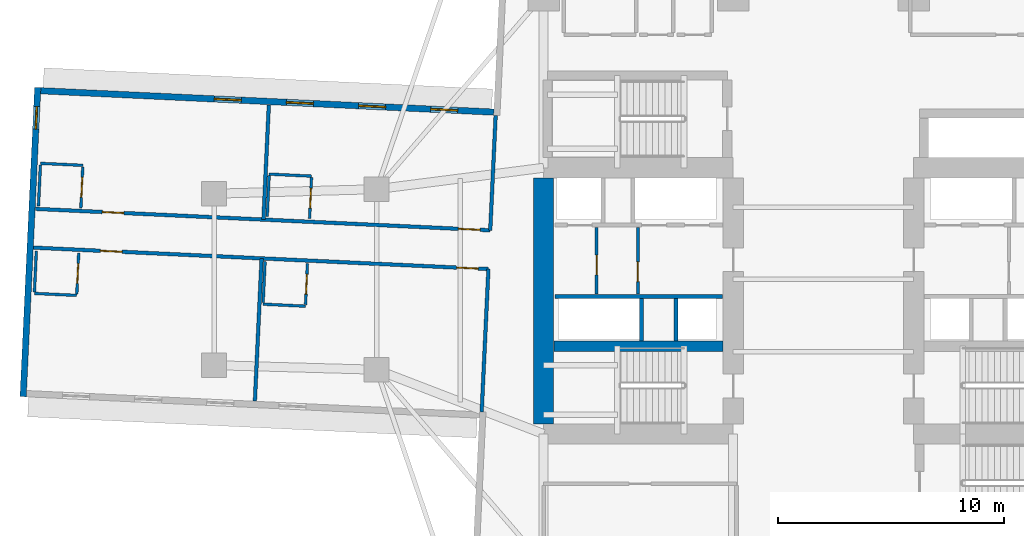
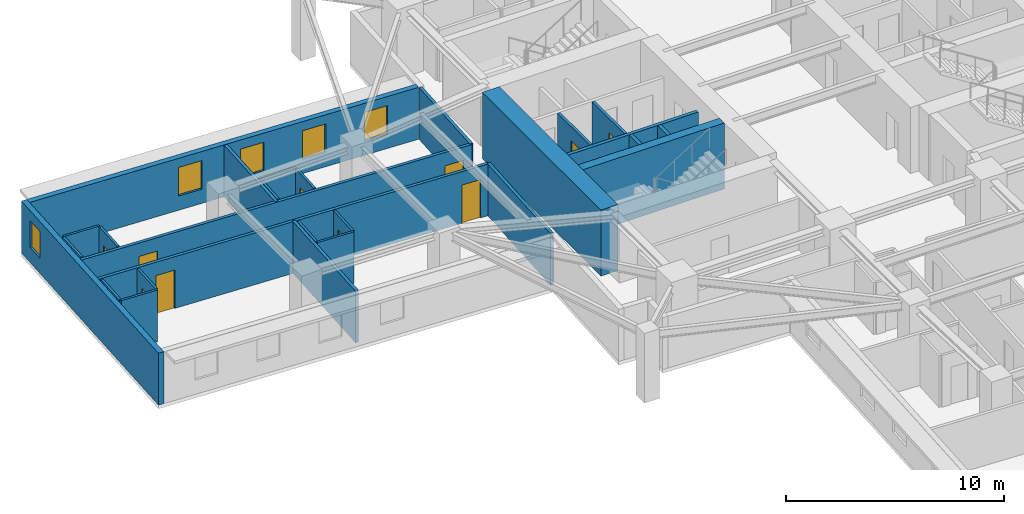
# One storey, part 5 of 14: 27 walls, 10 doors, 5 windows, 15 openings.
"""IFC4 building model written with IfcOpenShell, lengths in metres."""

from ifc_helpers import new_model, si_unit, direction, frame, frame_2d, origin, place, context, subcontext, project, spatial, rectangle, extrude, material, layer, layer_set, type_object, element, fill, save


model = new_model("IFC4")

# Units and contexts
model_context = context("Model", 3, precision=1e-05, world=origin(), true_north=direction((0.0, 1.0)))
body_context = subcontext(model_context, "Body", "Model", "MODEL_VIEW")
ifc_project = project(units=[si_unit("LENGTHUNIT", "METRE"), si_unit("AREAUNIT", "SQUARE_METRE"), si_unit("VOLUMEUNIT", "CUBIC_METRE"), si_unit("PLANEANGLEUNIT", "RADIAN"), si_unit("MASSUNIT", "GRAM", prefix="KILO")], contexts=[model_context])

# Site, building, storey
site_placement = place(None, origin())
site = spatial("IfcSite", under=ifc_project, at=site_placement, CompositionType="ELEMENT")
building_placement = place(site_placement, origin())
building = spatial("IfcBuilding", under=site, at=building_placement, Name="Qingluan Cross Belvedere", CompositionType="ELEMENT")
storey_placement = place(building_placement, frame((0.0, 0.0, 75.60009765625)))
storey = spatial("IfcBuildingStorey", under=building, at=storey_placement, Name="L19", CompositionType="ELEMENT", Elevation=75.60009765625)

# Walls
ifc_material_1 = material(Name="Concrete C50", Category="concrete")
ifc_layer_1 = layer(ifc_material_1, 0.449951171875, Name="CoreShearWall_450")
ifc_layer_set_1 = layer_set([ifc_layer_1], Name="Concrete C50")
wall_type_1 = type_object("IfcWallType", Name="CoreShearWall_450", PredefinedType="SHEAR", material=ifc_layer_set_1)
wall_1_placement = place(storey_placement, frame((-11.945068359375, -2.9599609375, 0.0), z_axis=(0.0, 0.0, 1.0), x_axis=(1.0, 0.0, 0.0)))
element("IfcWall", 1, at=wall_1_placement, inside=storey, type_object=wall_type_1, Name="Split core W shear wall L19-M", PredefinedType="SHEAR", context=body_context, shape_type="SweptSolid", body=[
    extrude(rectangle(XDim=7.489990234375, YDim=0.449951171875, at=frame_2d((3.7451171875, 0.0))), origin(), (0.0, 0.0, 1.0), 3.699951171875),
])
ifc_material_2 = material(Name="Concrete C70", Category="concrete")
ifc_layer_2 = layer(ifc_material_2, 0.89990234375, Name="CoreShearWall_900")
ifc_layer_set_2 = layer_set([ifc_layer_2], Name="Concrete C70")
wall_type_2 = type_object("IfcWallType", Name="CoreShearWall_900", PredefinedType="SHEAR", material=ifc_layer_set_2)
wall_2_placement = place(storey_placement, frame((-12.39990234375, -6.39501953125, 0.0), z_axis=(0.0, 0.0, 1.0), x_axis=(0.0, 1.0, 0.0)))
element("IfcWall", 2, at=wall_2_placement, inside=storey, type_object=wall_type_2, Name="Split core W shear wall L19-W", PredefinedType="SHEAR", context=body_context, shape_type="SweptSolid", body=[
    extrude(rectangle(XDim=10.89013671875, YDim=0.89990234375, at=frame_2d((5.445068359375, 0.0))), origin(), (0.0, 0.0, 1.0), 3.699951171875),
])

# Wall, opening, door
ifc_material_3 = material(Name="Gypsum plasterboard on steel stud acoustic partition", Category="steel")
ifc_layer_3 = layer(ifc_material_3, 0.159912109375, Name="CorridorPartition_160")
ifc_layer_set_3 = layer_set([ifc_layer_3], Name="Gypsum plasterboard on steel stud acoustic partition")
wall_type_3 = type_object("IfcWallType", Name="CorridorPartition_160", PredefinedType="PARTITIONING", material=ifc_layer_set_3)
wall_3_placement = place(storey_placement, frame((-10.050048828125, -0.652099609375, 0.0), z_axis=(0.0, 0.0, 1.0), x_axis=(0.0, 1.0, 0.0)))
wall_3 = element("IfcWall", 3, at=wall_3_placement, inside=storey, type_object=wall_type_3, Name="Partition L19:wv", PredefinedType="PARTITIONING", context=body_context, shape_type="SweptSolid", body=[
    extrude(rectangle(XDim=2.962158203125, YDim=0.139892578125, at=frame_2d((1.48095703125, 0.0))), origin(), (0.0, 0.0, 1.0), 2.89990234375),
])
opening_1_placement = place(wall_3_placement, frame((0.85009765625, 0.0, 0.0)))
opening_1 = element("IfcOpeningElement", 4, at=opening_1_placement, cuts=wall_3, Name="Opening FD-B10", PredefinedType="OPENING", context=body_context, shape_type="SweptSolid", body=[
    extrude(rectangle(XDim=0.8798828125, YDim=2.10009765625, at=frame_2d((0.43994140625, 1.050048828125))), frame((0.0, 0.079833984375, 0.0), z_axis=(0.0, -1.0, 0.0), x_axis=(1.0, 0.0, 0.0)), (0.0, 0.0, 1.0), 0.159912109375),
])
ifc_material_4 = material(Name="Steel Class B service fire door", Category="steel")
door_type_1 = type_object("IfcDoorType", Name="RiserServiceFireDoor_FDB", OperationType="NOTDEFINED", PredefinedType="DOOR", material=ifc_material_4)
door_1_placement = place(opening_1_placement, origin())
door_1 = element("IfcDoor", 5, at=door_1_placement, inside=storey, type_object=door_type_1, Name="Service closet inner door L19", OperationType="SINGLE_SWING_RIGHT", OverallHeight=2.10009765625, OverallWidth=0.8798828125, PredefinedType="DOOR", context=body_context, shape_type="SweptSolid", body=[
    extrude(rectangle(XDim=0.8798828125, YDim=2.10009765625, at=frame_2d((0.43994140625, 1.050048828125))), frame((0.0, 0.02490234375, 0.0), z_axis=(0.0, -1.0, 0.0), x_axis=(1.0, 0.0, 0.0)), (0.0, 0.0, 1.0), 0.050048828125),
])
fill(opening_1, door_1)

# Wall, openings, doors
wall_4_placement = place(storey_placement, frame((-14.763916015625, 2.177978515625, 0.0), z_axis=(0.0, 0.0, 1.0), x_axis=(-0.998889899911, 0.047105921672, 0.0)))
wall_4 = element("IfcWall", 6, at=wall_4_placement, inside=storey, type_object=wall_type_3, Name="Partition L19:W:c0", PredefinedType="PARTITIONING", context=body_context, shape_type="SweptSolid", body=[
    extrude(rectangle(XDim=20.181884765625, YDim=0.159912109375, at=frame_2d((10.0908203125, 0.0))), origin(), (0.0, 0.0, 1.0), 2.89990234375),
])
opening_2_placement = place(wall_4_placement, frame((0.449951171875, 0.0, 0.0)))
opening_2 = element("IfcOpeningElement", 7, at=opening_2_placement, cuts=wall_4, Name="Opening GD-10", PredefinedType="OPENING", context=body_context, shape_type="SweptSolid", body=[
    extrude(rectangle(XDim=0.9599609375, YDim=2.14990234375, at=frame_2d((0.47998046875, 1.074951171875))), frame((0.0, 0.08984375, 0.0), z_axis=(0.0, -1.0, 0.0), x_axis=(1.0, 0.0, 0.0)), (0.0, 0.0, 1.0), 0.179931640625),
])
opening_3_placement = place(wall_4_placement, frame((16.2548828125, 0.0, 0.0)))
opening_3 = element("IfcOpeningElement", 8, at=opening_3_placement, cuts=wall_4, Name="Opening GD-10", PredefinedType="OPENING", context=body_context, shape_type="SweptSolid", body=[
    extrude(rectangle(XDim=0.9599609375, YDim=2.14990234375, at=frame_2d((0.47998046875, 1.074951171875))), frame((0.0, 0.08984375, 0.0), z_axis=(0.0, -1.0, 0.0), x_axis=(1.0, 0.0, 0.0)), (0.0, 0.0, 1.0), 0.179931640625),
])
ifc_material_5 = material(Name="Timber oak fire-rated acoustic guestroom door", Category="wood")
door_type_2 = type_object("IfcDoorType", Name="GuestEntryDoor_FD60", OperationType="NOTDEFINED", PredefinedType="DOOR", material=ifc_material_5)
door_2_placement = place(opening_2_placement, origin())
door_2 = element("IfcDoor", 9, at=door_2_placement, inside=storey, type_object=door_type_2, Name="Guest entry fire door 1907", OperationType="SINGLE_SWING_LEFT", OverallHeight=2.14990234375, OverallWidth=0.9599609375, PredefinedType="DOOR", context=body_context, shape_type="SweptSolid", body=[
    extrude(rectangle(XDim=0.9599609375, YDim=2.14990234375, at=frame_2d((0.47998046875, 1.074951171875))), frame((0.0, 0.02490234375, 0.0), z_axis=(0.0, -1.0, 0.0), x_axis=(1.0, 0.0, 0.0)), (0.0, 0.0, 1.0), 0.050048828125),
])
fill(opening_2, door_2)
door_3_placement = place(opening_3_placement, origin())
door_3 = element("IfcDoor", 10, at=door_3_placement, inside=storey, type_object=door_type_2, Name="Guest entry fire door 1908", OperationType="SINGLE_SWING_LEFT", OverallHeight=2.14990234375, OverallWidth=0.9599609375, PredefinedType="DOOR", context=body_context, shape_type="SweptSolid", body=[
    extrude(rectangle(XDim=0.9599609375, YDim=2.14990234375, at=frame_2d((0.47998046875, 1.074951171875))), frame((0.0, 0.02490234375, 0.0), z_axis=(0.0, -1.0, 0.0), x_axis=(1.0, 0.0, 0.0)), (0.0, 0.0, 1.0), 0.050048828125),
])
fill(opening_3, door_3)

# Walls
for number, where, z_axis, x_axis, name in (
    (11, (-14.763916015625, 2.177978515625, 0.0), (0.0, 0.0, 1.0), (0.047130059153, 0.998888761336, 0.0), "Partition L19:W:s0"),
    (12, (-24.815673828125, 2.65185546875, 0.0), (0.0, 0.0, 1.0), (0.047130059153, 0.998888761336, 0.0), "Partition L19:W:d0_0"),
):
    element("IfcWall", number, at=place(storey_placement, frame(where, z_axis=z_axis, x_axis=x_axis)), inside=storey, type_object=wall_type_3, Name=name, PredefinedType="PARTITIONING", context=body_context, shape_type="SweptSolid", body=[
        extrude(rectangle(XDim=5.092041015625, YDim=0.159912109375, at=frame_2d((2.5458984375, 0.0))), origin(), (0.0, 0.0, 1.0), 2.89990234375),
    ])

# Wall, openings, doors
wall_5_placement = place(storey_placement, frame((-14.8447265625, 0.459716796875, 0.0), z_axis=(0.0, 0.0, 1.0), x_axis=(-0.998889926753, 0.047105352469, 0.0)))
wall_5 = element("IfcWall", 13, at=wall_5_placement, inside=storey, type_object=wall_type_3, Name="Partition L19:W:c1", PredefinedType="PARTITIONING", context=body_context, shape_type="SweptSolid", body=[
    extrude(rectangle(XDim=20.18212890625, YDim=0.159912109375, at=frame_2d((10.091064453125, 0.0))), origin(), (0.0, 0.0, 1.0), 2.89990234375),
])
opening_4_placement = place(wall_5_placement, frame((0.449951171875, 0.0, 0.0)))
opening_4 = element("IfcOpeningElement", 14, at=opening_4_placement, cuts=wall_5, Name="Opening GD-10", PredefinedType="OPENING", context=body_context, shape_type="SweptSolid", body=[
    extrude(rectangle(XDim=0.9599609375, YDim=2.14990234375, at=frame_2d((0.47998046875, 1.074951171875))), frame((0.0, 0.08984375, 0.0), z_axis=(0.0, -1.0, 0.0), x_axis=(1.0, 0.0, 0.0)), (0.0, 0.0, 1.0), 0.179931640625),
])
opening_5_placement = place(wall_5_placement, frame((16.2548828125, 0.0, 0.0)))
opening_5 = element("IfcOpeningElement", 15, at=opening_5_placement, cuts=wall_5, Name="Opening GD-10", PredefinedType="OPENING", context=body_context, shape_type="SweptSolid", body=[
    extrude(rectangle(XDim=0.9599609375, YDim=2.14990234375, at=frame_2d((0.47998046875, 1.074951171875))), frame((0.0, 0.08984375, 0.0), z_axis=(0.0, -1.0, 0.0), x_axis=(1.0, 0.0, 0.0)), (0.0, 0.0, 1.0), 0.179931640625),
])
door_4_placement = place(opening_4_placement, origin())
door_4 = element("IfcDoor", 16, at=door_4_placement, inside=storey, type_object=door_type_2, Name="Guest entry fire door 1909", OperationType="SINGLE_SWING_LEFT", OverallHeight=2.14990234375, OverallWidth=0.9599609375, PredefinedType="DOOR", context=body_context, shape_type="SweptSolid", body=[
    extrude(rectangle(XDim=0.9599609375, YDim=2.14990234375, at=frame_2d((0.47998046875, 1.074951171875))), frame((0.0, 0.02490234375, 0.0), z_axis=(0.0, -1.0, 0.0), x_axis=(1.0, 0.0, 0.0)), (0.0, 0.0, 1.0), 0.050048828125),
])
fill(opening_4, door_4)
door_5_placement = place(opening_5_placement, origin())
door_5 = element("IfcDoor", 17, at=door_5_placement, inside=storey, type_object=door_type_2, Name="Guest entry fire door 1910", OperationType="SINGLE_SWING_LEFT", OverallHeight=2.14990234375, OverallWidth=0.9599609375, PredefinedType="DOOR", context=body_context, shape_type="SweptSolid", body=[
    extrude(rectangle(XDim=0.9599609375, YDim=2.14990234375, at=frame_2d((0.47998046875, 1.074951171875))), frame((0.0, 0.02490234375, 0.0), z_axis=(0.0, -1.0, 0.0), x_axis=(1.0, 0.0, 0.0)), (0.0, 0.0, 1.0), 0.050048828125),
])
fill(opening_5, door_5)

# Walls
for number, where, z_axis, x_axis, name in (
    (18, (-14.8447265625, 0.459716796875, 0.0), (0.0, 0.0, 1.0), (-0.047116333717, -0.998889408842, 0.0), "Partition L19:W:s1"),
    (19, (-24.896484375, 0.933837890625, 0.0), (0.0, 0.0, 1.0), (-0.047116333717, -0.998889408842, 0.0), "Partition L19:W:d1_0"),
):
    element("IfcWall", number, at=place(storey_placement, frame(where, z_axis=z_axis, x_axis=x_axis)), inside=storey, type_object=wall_type_3, Name=name, PredefinedType="PARTITIONING", context=body_context, shape_type="SweptSolid", body=[
        extrude(rectangle(XDim=6.33203125, YDim=0.159912109375, at=frame_2d((3.166015625, 0.0))), origin(), (0.0, 0.0, 1.0), 2.89990234375),
    ])

# Wall, opening, door
ifc_material_6 = material(Name="Moisture-resistant gypsum board lining")
ifc_layer_4 = layer(ifc_material_6, 0.1201171875, Name="EnsuiteWetPartition_120")
ifc_layer_set_4 = layer_set([ifc_layer_4], Name="Moisture-resistant gypsum board lining")
wall_type_4 = type_object("IfcWallType", Name="EnsuiteWetPartition_120", PredefinedType="PARTITIONING", material=ifc_layer_set_4)
wall_6_placement = place(storey_placement, frame((-22.771240234375, 2.69580078125, 0.0), z_axis=(0.0, 0.0, 1.0), x_axis=(0.047087116047, 0.998890786574, 0.0)))
wall_6 = element("IfcWall", 20, at=wall_6_placement, inside=storey, type_object=wall_type_4, Name="Partition L19:W:bs0_0", PredefinedType="PARTITIONING", context=body_context, shape_type="SweptSolid", body=[
    extrude(rectangle(XDim=1.81982421875, YDim=0.1201171875, at=frame_2d((0.909912109375, 0.0))), origin(), (0.0, 0.0, 1.0), 2.89990234375),
])
opening_6_placement = place(wall_6_placement, frame((0.469970703125, 0.0, 0.0)))
opening_6 = element("IfcOpeningElement", 21, at=opening_6_placement, cuts=wall_6, Name="Opening BD-09", PredefinedType="OPENING", context=body_context, shape_type="SweptSolid", body=[
    extrude(rectangle(XDim=0.8798828125, YDim=2.10009765625, at=frame_2d((0.43994140625, 1.050048828125))), frame((0.0, 0.070068359375, 0.0), z_axis=(0.0, -1.0, 0.0), x_axis=(1.0, 0.0, 0.0)), (0.0, 0.0, 1.0), 0.14013671875),
])
ifc_material_7 = material(Name="Moisture-sealed timber en-suite door", Category="wood")
door_type_3 = type_object("IfcDoorType", Name="BathroomDoor_880", OperationType="NOTDEFINED", PredefinedType="DOOR", material=ifc_material_7)
door_6_placement = place(opening_6_placement, origin())
door_6 = element("IfcDoor", 22, at=door_6_placement, inside=storey, type_object=door_type_3, Name="Bathroom door 1907", OperationType="SINGLE_SWING_RIGHT", OverallHeight=2.10009765625, OverallWidth=0.8798828125, PredefinedType="DOOR", context=body_context, shape_type="SweptSolid", body=[
    extrude(rectangle(XDim=0.8798828125, YDim=2.10009765625, at=frame_2d((0.43994140625, 1.050048828125))), frame((0.0, 0.02490234375, 0.0), z_axis=(0.0, -1.0, 0.0), x_axis=(1.0, 0.0, 0.0)), (0.0, 0.0, 1.0), 0.050048828125),
])
fill(opening_6, door_6)

# Walls
wall_7_placement = place(storey_placement, frame((-24.649169921875, 2.7841796875, 0.0), z_axis=(0.0, 0.0, 1.0), x_axis=(0.047080807099, 0.998891083954, 0.0)))
element("IfcWall", 23, at=wall_7_placement, inside=storey, type_object=wall_type_4, Name="Partition L19:W:bw0_0", PredefinedType="PARTITIONING", context=body_context, shape_type="SweptSolid", body=[
    extrude(rectangle(XDim=1.820068359375, YDim=0.1201171875, at=frame_2d((0.91015625, 0.0))), origin(), (0.0, 0.0, 1.0), 2.89990234375),
])
wall_8_placement = place(storey_placement, frame((-22.6826171875, 4.57861328125, 0.0), z_axis=(0.0, 0.0, 1.0), x_axis=(-0.998894138717, 0.04701595088, 0.0)))
element("IfcWall", 24, at=wall_8_placement, inside=storey, type_object=wall_type_4, Name="Partition L19:W:bn0_0", PredefinedType="PARTITIONING", context=body_context, shape_type="SweptSolid", body=[
    extrude(rectangle(XDim=1.8798828125, YDim=0.1201171875, at=frame_2d((0.93994140625, 0.0))), origin(), (0.0, 0.0, 1.0), 2.89990234375),
])

# Wall, opening, door
wall_9_placement = place(storey_placement, frame((-32.906982421875, 3.173583984375, 0.0), z_axis=(0.0, 0.0, 1.0), x_axis=(0.047080807099, 0.998891083954, 0.0)))
wall_9 = element("IfcWall", 25, at=wall_9_placement, inside=storey, type_object=wall_type_4, Name="Partition L19:W:bs0_1", PredefinedType="PARTITIONING", context=body_context, shape_type="SweptSolid", body=[
    extrude(rectangle(XDim=1.820068359375, YDim=0.1201171875, at=frame_2d((0.91015625, 0.0))), origin(), (0.0, 0.0, 1.0), 2.89990234375),
])
opening_7_placement = place(wall_9_placement, frame((0.469970703125, 0.0, 0.0)))
opening_7 = element("IfcOpeningElement", 26, at=opening_7_placement, cuts=wall_9, Name="Opening BD-09", PredefinedType="OPENING", context=body_context, shape_type="SweptSolid", body=[
    extrude(rectangle(XDim=0.8798828125, YDim=2.10009765625, at=frame_2d((0.43994140625, 1.050048828125))), frame((0.0, 0.070068359375, 0.0), z_axis=(0.0, -1.0, 0.0), x_axis=(1.0, 0.0, 0.0)), (0.0, 0.0, 1.0), 0.14013671875),
])
door_7_placement = place(opening_7_placement, origin())
door_7 = element("IfcDoor", 27, at=door_7_placement, inside=storey, type_object=door_type_3, Name="Bathroom door 1908", OperationType="SINGLE_SWING_RIGHT", OverallHeight=2.10009765625, OverallWidth=0.8798828125, PredefinedType="DOOR", context=body_context, shape_type="SweptSolid", body=[
    extrude(rectangle(XDim=0.8798828125, YDim=2.10009765625, at=frame_2d((0.43994140625, 1.050048828125))), frame((0.0, 0.02490234375, 0.0), z_axis=(0.0, -1.0, 0.0), x_axis=(1.0, 0.0, 0.0)), (0.0, 0.0, 1.0), 0.050048828125),
])
fill(opening_7, door_7)

# Walls
wall_10_placement = place(storey_placement, frame((-34.784912109375, 3.26220703125, 0.0), z_axis=(0.0, 0.0, 1.0), x_axis=(0.047087116047, 0.998890786574, 0.0)))
element("IfcWall", 28, at=wall_10_placement, inside=storey, type_object=wall_type_4, Name="Partition L19:W:bw0_1", PredefinedType="PARTITIONING", context=body_context, shape_type="SweptSolid", body=[
    extrude(rectangle(XDim=1.81982421875, YDim=0.1201171875, at=frame_2d((0.909912109375, 0.0))), origin(), (0.0, 0.0, 1.0), 2.89990234375),
])
wall_11_placement = place(storey_placement, frame((-32.818115234375, 5.056640625, 0.0), z_axis=(0.0, 0.0, 1.0), x_axis=(-0.998894425757, 0.04700985207, 0.0)))
element("IfcWall", 29, at=wall_11_placement, inside=storey, type_object=wall_type_4, Name="Partition L19:W:bn0_1", PredefinedType="PARTITIONING", context=body_context, shape_type="SweptSolid", body=[
    extrude(rectangle(XDim=1.880126953125, YDim=0.1201171875, at=frame_2d((0.93994140625, 0.0))), origin(), (0.0, 0.0, 1.0), 2.89990234375),
])

# Wall, opening, door
wall_12_placement = place(storey_placement, frame((-22.951171875, -1.1201171875, 0.0), z_axis=(0.0, 0.0, 1.0), x_axis=(0.047080807099, 0.998891083954, 0.0)))
wall_12 = element("IfcWall", 30, at=wall_12_placement, inside=storey, type_object=wall_type_4, Name="Partition L19:W:bs1_0", PredefinedType="PARTITIONING", context=body_context, shape_type="SweptSolid", body=[
    extrude(rectangle(XDim=1.820068359375, YDim=0.1201171875, at=frame_2d((0.91015625, 0.0))), origin(), (0.0, 0.0, 1.0), 2.89990234375),
])
opening_8_placement = place(wall_12_placement, frame((0.469970703125, 0.0, 0.0)))
opening_8 = element("IfcOpeningElement", 31, at=opening_8_placement, cuts=wall_12, Name="Opening BD-09", PredefinedType="OPENING", context=body_context, shape_type="SweptSolid", body=[
    extrude(rectangle(XDim=0.8798828125, YDim=2.10009765625, at=frame_2d((0.43994140625, 1.050048828125))), frame((0.0, 0.070068359375, 0.0), z_axis=(0.0, -1.0, 0.0), x_axis=(1.0, 0.0, 0.0)), (0.0, 0.0, 1.0), 0.14013671875),
])
door_8_placement = place(opening_8_placement, origin())
door_8 = element("IfcDoor", 32, at=door_8_placement, inside=storey, type_object=door_type_3, Name="Bathroom door 1909", OperationType="SINGLE_SWING_RIGHT", OverallHeight=2.10009765625, OverallWidth=0.8798828125, PredefinedType="DOOR", context=body_context, shape_type="SweptSolid", body=[
    extrude(rectangle(XDim=0.8798828125, YDim=2.10009765625, at=frame_2d((0.43994140625, 1.050048828125))), frame((0.0, 0.02490234375, 0.0), z_axis=(0.0, -1.0, 0.0), x_axis=(1.0, 0.0, 0.0)), (0.0, 0.0, 1.0), 0.050048828125),
])
fill(opening_8, door_8)

# Walls
wall_13_placement = place(storey_placement, frame((-24.8291015625, -1.031494140625, 0.0), z_axis=(0.0, 0.0, 1.0), x_axis=(0.047087116047, 0.998890786574, 0.0)))
element("IfcWall", 33, at=wall_13_placement, inside=storey, type_object=wall_type_4, Name="Partition L19:W:bw1_0", PredefinedType="PARTITIONING", context=body_context, shape_type="SweptSolid", body=[
    extrude(rectangle(XDim=1.81982421875, YDim=0.1201171875, at=frame_2d((0.909912109375, 0.0))), origin(), (0.0, 0.0, 1.0), 2.89990234375),
])
wall_14_placement = place(storey_placement, frame((-22.954345703125, -1.18505859375, 0.0), z_axis=(0.0, 0.0, 1.0), x_axis=(-0.998888319371, 0.047139425368, 0.0)))
element("IfcWall", 34, at=wall_14_placement, inside=storey, type_object=wall_type_4, Name="Partition L19:W:bc1_0", PredefinedType="PARTITIONING", context=body_context, shape_type="SweptSolid", body=[
    extrude(rectangle(XDim=1.880126953125, YDim=0.1201171875, at=frame_2d((0.93994140625, 0.0))), origin(), (0.0, 0.0, 1.0), 2.89990234375),
])

# Wall, opening, door
wall_15_placement = place(storey_placement, frame((-33.0869140625, -0.64208984375, 0.0), z_axis=(0.0, 0.0, 1.0), x_axis=(0.047087116047, 0.998890786574, 0.0)))
wall_15 = element("IfcWall", 35, at=wall_15_placement, inside=storey, type_object=wall_type_4, Name="Partition L19:W:bs1_1", PredefinedType="PARTITIONING", context=body_context, shape_type="SweptSolid", body=[
    extrude(rectangle(XDim=1.81982421875, YDim=0.1201171875, at=frame_2d((0.909912109375, 0.0))), origin(), (0.0, 0.0, 1.0), 2.89990234375),
])
opening_9_placement = place(wall_15_placement, frame((0.469970703125, 0.0, 0.0)))
opening_9 = element("IfcOpeningElement", 36, at=opening_9_placement, cuts=wall_15, Name="Opening BD-09", PredefinedType="OPENING", context=body_context, shape_type="SweptSolid", body=[
    extrude(rectangle(XDim=0.8798828125, YDim=2.10009765625, at=frame_2d((0.43994140625, 1.050048828125))), frame((0.0, 0.070068359375, 0.0), z_axis=(0.0, -1.0, 0.0), x_axis=(1.0, 0.0, 0.0)), (0.0, 0.0, 1.0), 0.14013671875),
])
door_9_placement = place(opening_9_placement, origin())
door_9 = element("IfcDoor", 37, at=door_9_placement, inside=storey, type_object=door_type_3, Name="Bathroom door 1910", OperationType="SINGLE_SWING_RIGHT", OverallHeight=2.10009765625, OverallWidth=0.8798828125, PredefinedType="DOOR", context=body_context, shape_type="SweptSolid", body=[
    extrude(rectangle(XDim=0.8798828125, YDim=2.10009765625, at=frame_2d((0.43994140625, 1.050048828125))), frame((0.0, 0.02490234375, 0.0), z_axis=(0.0, -1.0, 0.0), x_axis=(1.0, 0.0, 0.0)), (0.0, 0.0, 1.0), 0.050048828125),
])
fill(opening_9, door_9)

# Walls
wall_16_placement = place(storey_placement, frame((-34.96484375, -0.553466796875, 0.0), z_axis=(0.0, 0.0, 1.0), x_axis=(0.047087116047, 0.998890786574, 0.0)))
element("IfcWall", 38, at=wall_16_placement, inside=storey, type_object=wall_type_4, Name="Partition L19:W:bw1_1", PredefinedType="PARTITIONING", context=body_context, shape_type="SweptSolid", body=[
    extrude(rectangle(XDim=1.81982421875, YDim=0.1201171875, at=frame_2d((0.909912109375, 0.0))), origin(), (0.0, 0.0, 1.0), 2.89990234375),
])
wall_17_placement = place(storey_placement, frame((-33.090087890625, -0.70703125, 0.0), z_axis=(0.0, 0.0, 1.0), x_axis=(-0.998888319371, 0.047139425368, 0.0)))
element("IfcWall", 39, at=wall_17_placement, inside=storey, type_object=wall_type_4, Name="Partition L19:W:bc1_1", PredefinedType="PARTITIONING", context=body_context, shape_type="SweptSolid", body=[
    extrude(rectangle(XDim=1.880126953125, YDim=0.1201171875, at=frame_2d((0.93994140625, 0.0))), origin(), (0.0, 0.0, 1.0), 2.89990234375),
])

# Wall, openings, windows
ifc_material_8 = material(Name="Precast concrete C45", Category="concrete")
ifc_layer_5 = layer(ifc_material_8, 0.280029296875, Name="PrecastFacadeWall_280")
ifc_layer_set_5 = layer_set([ifc_layer_5], Name="Precast concrete C45")
wall_type_5 = type_object("IfcWallType", Name="PrecastFacadeWall_280", PredefinedType="STANDARD", material=ifc_layer_set_5)
wall_18_placement = place(storey_placement, frame((-14.60693359375, 7.416259765625, 0.0), z_axis=(0.0, 0.0, 1.0), x_axis=(-0.998890015344, 0.047103473814, 0.0)))
wall_18 = element("IfcWall", 40, at=wall_18_placement, inside=storey, type_object=wall_type_5, Name="Facade wall L19-WA", PredefinedType="STANDARD", context=body_context, shape_type="SweptSolid", body=[
    extrude(rectangle(XDim=20.099853515625, YDim=0.280029296875, at=frame_2d((10.0498046875, 0.0))), origin(), (0.0, 0.0, 1.0), 2.909912109375),
])
opening_10_placement = place(wall_18_placement, frame((1.60009765625, 0.0, 0.800048828125)))
opening_10 = element("IfcOpeningElement", 41, at=opening_10_placement, cuts=wall_18, Name="Opening W-02", PredefinedType="OPENING", context=body_context, shape_type="SweptSolid", body=[
    extrude(rectangle(XDim=1.199951171875, YDim=1.60009765625, at=frame_2d((0.60009765625, 0.800048828125))), frame((0.0, 0.14990234375, 0.0), z_axis=(0.0, -1.0, 0.0), x_axis=(1.0, 0.0, 0.0)), (0.0, 0.0, 1.0), 0.300048828125),
])
opening_11_placement = place(wall_18_placement, frame((4.800048828125, 0.0, 0.800048828125)))
opening_11 = element("IfcOpeningElement", 42, at=opening_11_placement, cuts=wall_18, Name="Opening W-02", PredefinedType="OPENING", context=body_context, shape_type="SweptSolid", body=[
    extrude(rectangle(XDim=1.199951171875, YDim=1.60009765625, at=frame_2d((0.60009765625, 0.800048828125))), frame((0.0, 0.14990234375, 0.0), z_axis=(0.0, -1.0, 0.0), x_axis=(1.0, 0.0, 0.0)), (0.0, 0.0, 1.0), 0.300048828125),
])
opening_12_placement = place(wall_18_placement, frame((8.0, 0.0, 0.800048828125)))
opening_12 = element("IfcOpeningElement", 43, at=opening_12_placement, cuts=wall_18, Name="Opening W-02", PredefinedType="OPENING", context=body_context, shape_type="SweptSolid", body=[
    extrude(rectangle(XDim=1.199951171875, YDim=1.60009765625, at=frame_2d((0.60009765625, 0.800048828125))), frame((0.0, 0.14990234375, 0.0), z_axis=(0.0, -1.0, 0.0), x_axis=(1.0, 0.0, 0.0)), (0.0, 0.0, 1.0), 0.300048828125),
])
opening_13_placement = place(wall_18_placement, frame((11.199951171875, 0.0, 0.800048828125)))
opening_13 = element("IfcOpeningElement", 44, at=opening_13_placement, cuts=wall_18, Name="Opening W-02", PredefinedType="OPENING", context=body_context, shape_type="SweptSolid", body=[
    extrude(rectangle(XDim=1.199951171875, YDim=1.60009765625, at=frame_2d((0.60009765625, 0.800048828125))), frame((0.0, 0.14990234375, 0.0), z_axis=(0.0, -1.0, 0.0), x_axis=(1.0, 0.0, 0.0)), (0.0, 0.0, 1.0), 0.300048828125),
])
ifc_material_9 = material(Name="Thermally broken triple Low-E glass in aluminium frame", Category="aluminium")
window_type_1 = type_object("IfcWindowType", Name="TriRibbonWin_1200x1600", PartitioningType="SINGLE_PANEL", PredefinedType="WINDOW", material=ifc_material_9)
window_1_placement = place(opening_10_placement, origin())
window_1 = element("IfcWindow", 45, at=window_1_placement, inside=storey, type_object=window_type_1, Name="Ribbon window L19-WA-1", OverallHeight=1.60009765625, OverallWidth=1.199951171875, PartitioningType="SINGLE_PANEL", PredefinedType="WINDOW", context=body_context, shape_type="SweptSolid", body=[
    extrude(rectangle(XDim=1.199951171875, YDim=1.60009765625, at=frame_2d((0.60009765625, 0.800048828125))), frame((0.0, 0.030029296875, 0.0), z_axis=(0.0, -1.0, 0.0), x_axis=(1.0, 0.0, 0.0)), (0.0, 0.0, 1.0), 0.06005859375),
])
fill(opening_10, window_1)
window_2_placement = place(opening_11_placement, origin())
window_2 = element("IfcWindow", 46, at=window_2_placement, inside=storey, type_object=window_type_1, Name="Ribbon window L19-WA-2", OverallHeight=1.60009765625, OverallWidth=1.199951171875, PartitioningType="SINGLE_PANEL", PredefinedType="WINDOW", context=body_context, shape_type="SweptSolid", body=[
    extrude(rectangle(XDim=1.199951171875, YDim=1.60009765625, at=frame_2d((0.60009765625, 0.800048828125))), frame((0.0, 0.030029296875, 0.0), z_axis=(0.0, -1.0, 0.0), x_axis=(1.0, 0.0, 0.0)), (0.0, 0.0, 1.0), 0.06005859375),
])
fill(opening_11, window_2)
window_3_placement = place(opening_12_placement, origin())
window_3 = element("IfcWindow", 47, at=window_3_placement, inside=storey, type_object=window_type_1, Name="Ribbon window L19-WA-3", OverallHeight=1.60009765625, OverallWidth=1.199951171875, PartitioningType="SINGLE_PANEL", PredefinedType="WINDOW", context=body_context, shape_type="SweptSolid", body=[
    extrude(rectangle(XDim=1.199951171875, YDim=1.60009765625, at=frame_2d((0.60009765625, 0.800048828125))), frame((0.0, 0.030029296875, 0.0), z_axis=(0.0, -1.0, 0.0), x_axis=(1.0, 0.0, 0.0)), (0.0, 0.0, 1.0), 0.06005859375),
])
fill(opening_12, window_3)
window_4_placement = place(opening_13_placement, origin())
window_4 = element("IfcWindow", 48, at=window_4_placement, inside=storey, type_object=window_type_1, Name="Ribbon window L19-WA-4", OverallHeight=1.60009765625, OverallWidth=1.199951171875, PartitioningType="SINGLE_PANEL", PredefinedType="WINDOW", context=body_context, shape_type="SweptSolid", body=[
    extrude(rectangle(XDim=1.199951171875, YDim=1.60009765625, at=frame_2d((0.60009765625, 0.800048828125))), frame((0.0, 0.030029296875, 0.0), z_axis=(0.0, -1.0, 0.0), x_axis=(1.0, 0.0, 0.0)), (0.0, 0.0, 1.0), 0.06005859375),
])
fill(opening_13, window_4)

# Wall, opening, window
wall_19_placement = place(storey_placement, frame((-34.81787109375, 8.509521484375, 0.0), z_axis=(0.0, 0.0, 1.0), x_axis=(-0.047101845086, -0.998890092147, 0.0)))
wall_19 = element("IfcWall", 49, at=wall_19_placement, inside=storey, type_object=wall_type_5, Name="Arm tip precast facade wall L19-W", PredefinedType="STANDARD", context=body_context, shape_type="SweptSolid", body=[
    extrude(rectangle(XDim=13.719970703125, YDim=0.280029296875, at=frame_2d((6.85986328125, 0.0))), origin(), (0.0, 0.0, 1.0), 2.909912109375),
])
opening_14_placement = place(wall_19_placement, frame((0.85009765625, 0.0, 0.85009765625)))
opening_14 = element("IfcOpeningElement", 50, at=opening_14_placement, cuts=wall_19, Name="Opening W-03", PredefinedType="OPENING", context=body_context, shape_type="SweptSolid", body=[
    extrude(rectangle(XDim=1.0, YDim=1.5, at=frame_2d((0.5, 0.75))), frame((0.0, 0.14990234375, 0.0), z_axis=(0.0, -1.0, 0.0), x_axis=(1.0, 0.0, 0.0)), (0.0, 0.0, 1.0), 0.300048828125),
])
ifc_material_10 = material(Name="Thermally broken triple Low-E glass in aluminium frame", Category="aluminium")
window_type_2 = type_object("IfcWindowType", Name="TriApexWin_1000x1500", PartitioningType="SINGLE_PANEL", PredefinedType="WINDOW", material=ifc_material_10)
window_5_placement = place(opening_14_placement, origin())
window_5 = element("IfcWindow", 51, at=window_5_placement, inside=storey, type_object=window_type_2, Name="Arm tip triangular window L19-W", OverallHeight=1.5, OverallWidth=1.0, PartitioningType="SINGLE_PANEL", PredefinedType="WINDOW", context=body_context, shape_type="SweptSolid", body=[
    extrude(rectangle(XDim=1.0, YDim=1.5, at=frame_2d((0.5, 0.75))), frame((0.0, 0.030029296875, 0.0), z_axis=(0.0, -1.0, 0.0), x_axis=(1.0, 0.0, 0.0)), (0.0, 0.0, 1.0), 0.06005859375),
])
fill(opening_14, window_5)

# Walls
ifc_material_11 = material(Name="Concrete C40", Category="concrete")
ifc_layer_6 = layer(ifc_material_11, 0.219970703125, Name="ShaftEnclosureWall_250")
ifc_layer_set_6 = layer_set([ifc_layer_6], Name="Concrete C40")
wall_type_6 = type_object("IfcWallType", Name="ShaftEnclosureWall_250", PredefinedType="SOLIDWALL", material=ifc_layer_set_6)
wall_20_placement = place(storey_placement, frame((-11.89990234375, -0.75, 0.0), z_axis=(0.0, 0.0, 1.0), x_axis=(1.0, 0.0, 0.0)))
element("IfcWall", 52, at=wall_20_placement, inside=storey, type_object=wall_type_6, Name="Core-W mid hoistway wall L19", PredefinedType="SOLIDWALL", context=body_context, shape_type="SweptSolid", body=[
    extrude(rectangle(XDim=7.419921875, YDim=0.179931640625, at=frame_2d((3.7099609375, 0.0))), origin(), (0.0, 0.0, 1.0), 2.89990234375),
])
for number, where, z_axis, x_axis, name in (
    (53, (-8.06005859375, -2.72998046875, 0.0), (0.0, 0.0, 1.0), (0.0, 1.0, 0.0), "Hoistway enclosure divider LP6E L19"),
    (54, (-6.5400390625, -2.72998046875, 0.0), (0.0, 0.0, 1.0), (0.0, 1.0, 0.0), "Hoistway enclosure divider LP8W L19"),
):
    element("IfcWall", number, at=place(storey_placement, frame(where, z_axis=z_axis, x_axis=x_axis)), inside=storey, type_object=wall_type_6, Name=name, PredefinedType="SOLIDWALL", context=body_context, shape_type="SweptSolid", body=[
        extrude(rectangle(XDim=1.889892578125, YDim=0.179931640625, at=frame_2d((0.94482421875, 0.0))), origin(), (0.0, 0.0, 1.0), 2.89990234375),
    ])

# Wall, opening, door
wall_21_placement = place(storey_placement, frame((-8.219970703125, -0.64990234375, 0.0), z_axis=(0.0, 0.0, 1.0), x_axis=(0.0, 1.0, 0.0)))
wall_21 = element("IfcWall", 55, at=wall_21_placement, inside=storey, type_object=wall_type_6, Name="Core-W service corridor wall L19", PredefinedType="SOLIDWALL", context=body_context, shape_type="SweptSolid", body=[
    extrude(rectangle(XDim=2.9599609375, YDim=0.139892578125, at=frame_2d((1.47998046875, 0.0))), origin(), (0.0, 0.0, 1.0), 2.89990234375),
])
opening_15_placement = place(wall_21_placement, frame((0.550048828125, 0.0, 0.0)))
opening_15 = element("IfcOpeningElement", 56, at=opening_15_placement, cuts=wall_21, Name="Opening FD-B10", PredefinedType="OPENING", context=body_context, shape_type="SweptSolid", body=[
    extrude(rectangle(XDim=0.8798828125, YDim=2.10009765625, at=frame_2d((0.43994140625, 1.050048828125))), frame((0.0, 0.079833984375, 0.0), z_axis=(0.0, -1.0, 0.0), x_axis=(1.0, 0.0, 0.0)), (0.0, 0.0, 1.0), 0.159912109375),
])
door_10_placement = place(opening_15_placement, origin())
door_10 = element("IfcDoor", 57, at=door_10_placement, inside=storey, type_object=door_type_1, Name="Core-W service room door L19", OperationType="SINGLE_SWING_RIGHT", OverallHeight=2.10009765625, OverallWidth=0.8798828125, PredefinedType="DOOR", context=body_context, shape_type="SweptSolid", body=[
    extrude(rectangle(XDim=0.8798828125, YDim=2.10009765625, at=frame_2d((0.43994140625, 1.050048828125))), frame((0.0, 0.02490234375, 0.0), z_axis=(0.0, -1.0, 0.0), x_axis=(1.0, 0.0, 0.0)), (0.0, 0.0, 1.0), 0.050048828125),
])
fill(opening_15, door_10)

save(model, "model.ifc")
